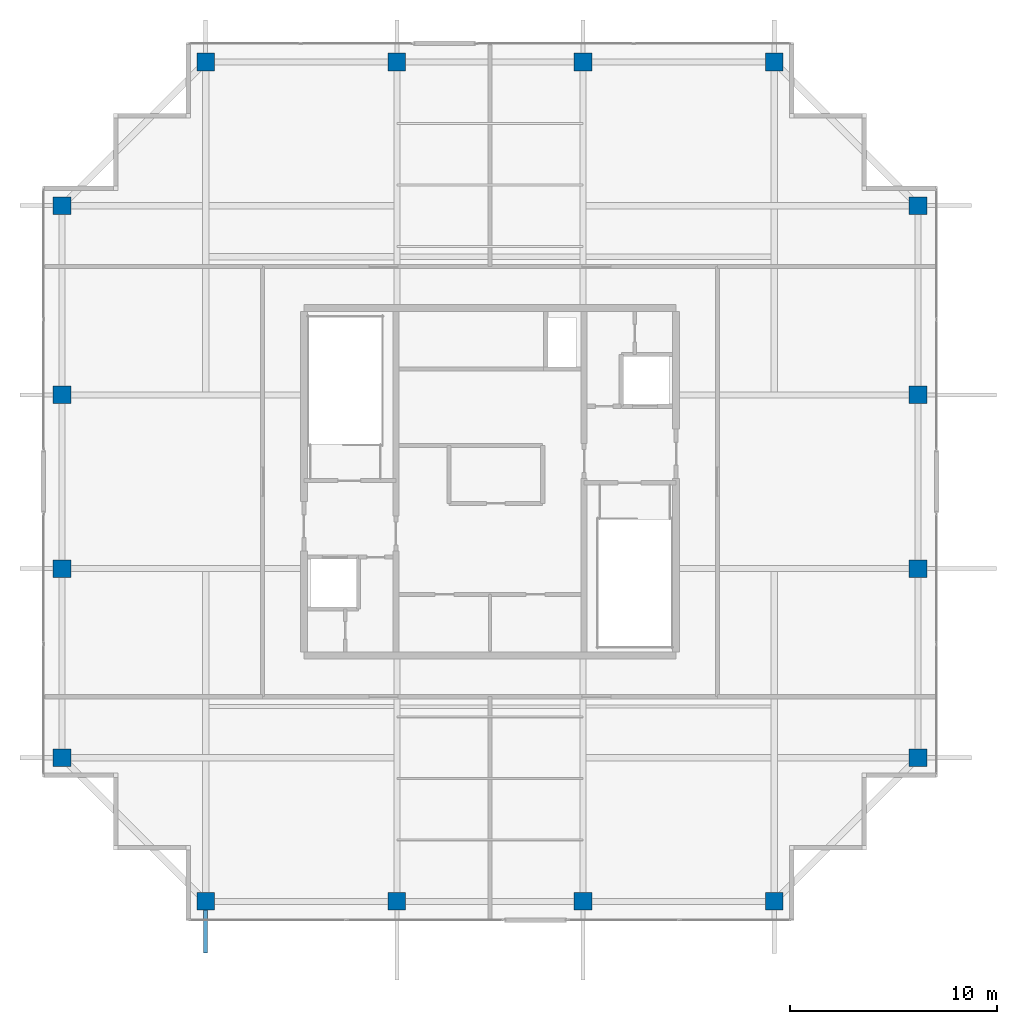
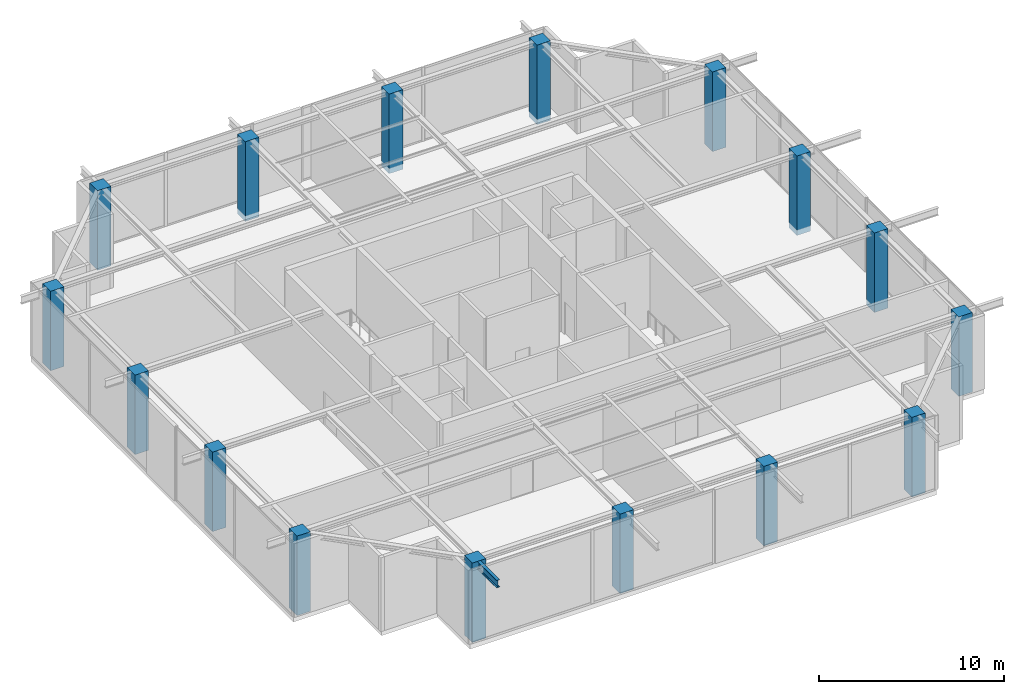
# One storey, part 1 of 27: 16 columns, 1 beam.
"""IFC4 building model written with IfcOpenShell, lengths in metres."""

from ifc_helpers import new_model, si_unit, direction, frame, origin, origin_2d, place, context, subcontext, project, spatial, rectangle, i_section, extrude, source, transform, mapped, material, material_profile, profile_set, type_object, element, save


model = new_model("IFC4")

# Units and contexts
model_context = context("Model", 3, precision=1e-05, world=origin(), true_north=direction((0.0, 1.0)))
body_context = subcontext(model_context, "Body", "Model", "MODEL_VIEW")
ifc_project = project(units=[si_unit("LENGTHUNIT", "METRE"), si_unit("AREAUNIT", "SQUARE_METRE"), si_unit("VOLUMEUNIT", "CUBIC_METRE"), si_unit("PLANEANGLEUNIT", "RADIAN"), si_unit("MASSUNIT", "GRAM", prefix="KILO")], contexts=[model_context])

# Site, building, storey
site_placement = place(None, origin())
site = spatial("IfcSite", under=ifc_project, at=site_placement, CompositionType="ELEMENT")
building_placement = place(site_placement, origin())
building = spatial("IfcBuilding", under=site, at=building_placement, Name="Serunith Strait Residences", CompositionType="ELEMENT")
storey_placement = place(building_placement, frame((0.0, 0.0, 365.75)))
storey = spatial("IfcBuildingStorey", under=building, at=storey_placement, Name="L89", CompositionType="ELEMENT", Elevation=365.75)

# Columns
ifc_material_1 = material(Name="Concrete C60/75", Category="concrete")
ifc_material_profile_1 = material_profile(ifc_material_1, rectangle(XDim=0.85009765625, YDim=0.85009765625, at=origin_2d()), Name="RC 850x850")
ifc_profile_set_1 = profile_set([ifc_material_profile_1], Name="Concrete C60/75")
column_type = type_object("IfcColumnType", Name="COL-RC-850", PredefinedType="COLUMN", material=ifc_profile_set_1)
shared_shape_1 = source(origin(), body_context, "Body", "SweptSolid", [
    extrude(rectangle(XDim=0.85009765625, YDim=0.85009765625, at=origin_2d()), origin(), (0.0, 0.0, 1.0), 5.260009765625),
])
for number, where, z_axis, x_axis, name in (
    (1, (18.64990234375, 4.89990234375, -0.360107421875), (0.0, 0.0, 1.0), (1.0, 0.0, 0.0), "L89 Tower Mega-Column TC-S1"),
    (2, (27.89990234375, 4.89990234375, -0.360107421875), (0.0, 0.0, 1.0), (1.0, 0.0, 0.0), "L89 Tower Mega-Column TC-S2"),
    (3, (36.89990234375, 4.89990234375, -0.360107421875), (0.0, 0.0, 1.0), (1.0, 0.0, 0.0), "L89 Tower Mega-Column TC-S3"),
    (4, (46.14990234375, 4.89990234375, -0.360107421875), (0.0, 0.0, 1.0), (1.0, 0.0, 0.0), "L89 Tower Mega-Column TC-S4"),
    (5, (18.64990234375, 45.5, -0.360107421875), (0.0, 0.0, 1.0), (1.0, 0.0, 0.0), "L89 Tower Mega-Column TC-N1"),
    (6, (27.89990234375, 45.5, -0.360107421875), (0.0, 0.0, 1.0), (1.0, 0.0, 0.0), "L89 Tower Mega-Column TC-N2"),
    (7, (36.89990234375, 45.5, -0.360107421875), (0.0, 0.0, 1.0), (1.0, 0.0, 0.0), "L89 Tower Mega-Column TC-N3"),
    (8, (46.14990234375, 45.5, -0.360107421875), (0.0, 0.0, 1.0), (1.0, 0.0, 0.0), "L89 Tower Mega-Column TC-N4"),
    (9, (53.10009765625, 11.85009765625, -0.360107421875), (0.0, 0.0, 1.0), (1.0, 0.0, 0.0), "L89 Tower Mega-Column TC-E1"),
    (10, (53.10009765625, 21.0, -0.360107421875), (0.0, 0.0, 1.0), (1.0, 0.0, 0.0), "L89 Tower Mega-Column TC-E2"),
    (11, (53.10009765625, 29.39990234375, -0.360107421875), (0.0, 0.0, 1.0), (1.0, 0.0, 0.0), "L89 Tower Mega-Column TC-E3"),
    (12, (53.10009765625, 38.550048828125, -0.360107421875), (0.0, 0.0, 1.0), (1.0, 0.0, 0.0), "L89 Tower Mega-Column TC-E4"),
    (13, (11.699951171875, 11.85009765625, -0.360107421875), (0.0, 0.0, 1.0), (1.0, 0.0, 0.0), "L89 Tower Mega-Column TC-W1"),
    (14, (11.699951171875, 21.0, -0.360107421875), (0.0, 0.0, 1.0), (1.0, 0.0, 0.0), "L89 Tower Mega-Column TC-W2"),
    (15, (11.699951171875, 29.39990234375, -0.360107421875), (0.0, 0.0, 1.0), (1.0, 0.0, 0.0), "L89 Tower Mega-Column TC-W3"),
    (16, (11.699951171875, 38.550048828125, -0.360107421875), (0.0, 0.0, 1.0), (1.0, 0.0, 0.0), "L89 Tower Mega-Column TC-W4"),
):
    element("IfcColumn", number, at=place(storey_placement, frame(where, z_axis=z_axis, x_axis=x_axis)), inside=storey, type_object=column_type, Name=name, PredefinedType="COLUMN", context=body_context, shape_type="MappedRepresentation", body=[
        mapped(shared_shape_1, transform((0.0, 0.0, 0.0), scale=1.0)),
    ])

# Beam
ifc_material_2 = material(Name="Steel S355J2", Category="steel")
ifc_material_profile_2 = material_profile(ifc_material_2, i_section(OverallWidth=0.199951171875, OverallDepth=0.5, WebThickness=0.01025390625, FlangeThickness=0.01611328125, FilletRadius=0.02099609375, at=origin_2d()), Name="IPE 500")
ifc_profile_set_2 = profile_set([ifc_material_profile_2], Name="Steel S355J2")
beam_type = type_object("IfcBeamType", Name="BM-IPE500", PredefinedType="JOIST", material=ifc_profile_set_2)
shared_shape_2 = source(origin(), body_context, "Body", "SweptSolid", [
    extrude(i_section(OverallWidth=0.199951171875, OverallDepth=0.5, WebThickness=0.01025390625, FlangeThickness=0.01611328125, FilletRadius=0.02099609375, at=origin_2d()), origin(), (0.0, 0.0, 1.0), 2.50244140625),
])
beam_placement = place(storey_placement, frame((18.64990234375, 4.89990234375, 4.64697265625), z_axis=(0.0, -1.0, 0.0), x_axis=(1.0, 0.0, 0.0)))
element("IfcBeam", 17, at=beam_placement, inside=storey, type_object=beam_type, Name="Crown Canopy Cantilever Rafter TC-S1", PredefinedType="JOIST", context=body_context, shape_type="MappedRepresentation", body=[
    mapped(shared_shape_2, transform((0.0, 0.0, 0.0), scale=1.0)),
])

save(model, "model.ifc")
